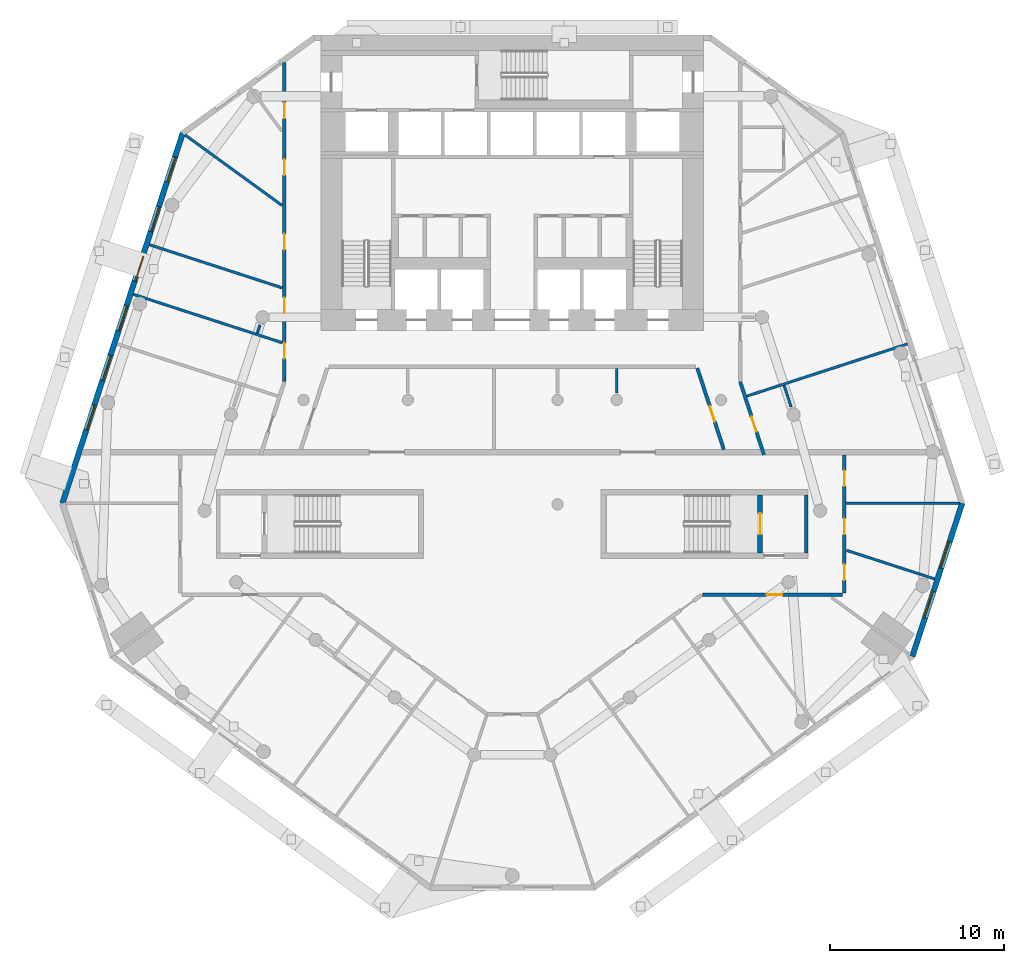
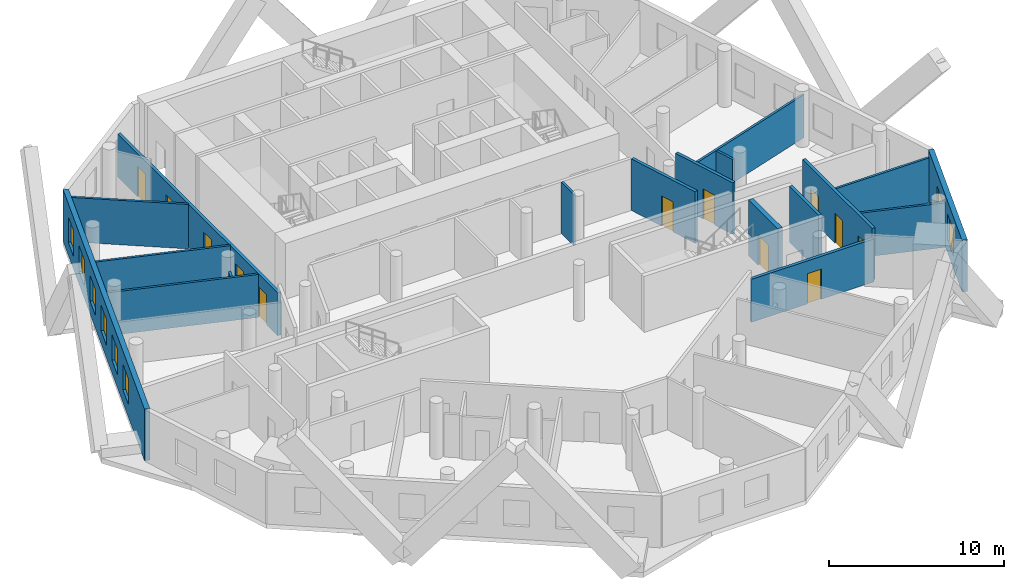
# One storey, part 5 of 10: 18 walls, 12 doors, 8 windows, 20 openings.
"""IFC4 building model written with IfcOpenShell, lengths in metres."""

from ifc_helpers import new_model, si_unit, direction, frame, frame_2d, origin, place, context, subcontext, project, spatial, rectangle, extrude, material, layer, layer_set, type_object, element, fill, save


model = new_model("IFC4")

# Units and contexts
model_context = context("Model", 3, precision=1e-05, world=origin(), true_north=direction((0.0, 1.0)))
body_context = subcontext(model_context, "Body", "Model", "MODEL_VIEW")
ifc_project = project(units=[si_unit("LENGTHUNIT", "METRE"), si_unit("AREAUNIT", "SQUARE_METRE"), si_unit("VOLUMEUNIT", "CUBIC_METRE"), si_unit("PLANEANGLEUNIT", "RADIAN"), si_unit("MASSUNIT", "GRAM", prefix="KILO")], contexts=[model_context])

# Site, building, storey
site_placement = place(None, origin())
site = spatial("IfcSite", under=ifc_project, at=site_placement, CompositionType="ELEMENT")
building_placement = place(site_placement, origin())
building = spatial("IfcBuilding", under=site, at=building_placement, Name="White Candle Pilgrim Tower", CompositionType="ELEMENT")
storey_placement = place(building_placement, frame((0.0, 0.0, 78.0)))
storey = spatial("IfcBuildingStorey", under=building, at=storey_placement, Name="L16", CompositionType="ELEMENT", Elevation=78.0)

# Wall
ifc_material_1 = material(Name="Concrete C70/85", Category="concrete")
ifc_layer_1 = layer(ifc_material_1, 0.199951171875)
ifc_layer_set_1 = layer_set([ifc_layer_1], Name="Core wall 200 mm Concrete C70/85")
wall_type_1 = type_object("IfcWallType", Name="Core wall 200 mm Concrete C70/85", PredefinedType="SHEAR", material=ifc_layer_set_1)
wall_1_placement = place(storey_placement, frame((86.89990234375, 58.199951171875, 0.0), z_axis=(0.0, 0.0, 1.0), x_axis=(0.0, 1.0, 0.0)))
element("IfcWall", 1, at=wall_1_placement, inside=storey, type_object=wall_type_1, Name="WL-L16-C08", PredefinedType="SHEAR", context=body_context, shape_type="SweptSolid", body=[
    extrude(rectangle(XDim=3.35009765625, YDim=0.199951171875, at=frame_2d((1.675048828125, 0.0))), origin(), (0.0, 0.0, 1.0), 3.89990234375),
])

# Wall, openings, doors
ifc_material_2 = material(Name="Gypsum board on steel studs", Category="steel")
ifc_layer_2 = layer(ifc_material_2, 0.199951171875)
ifc_layer_set_2 = layer_set([ifc_layer_2], Name="Corridor wall 200 mm EI 45")
wall_type_2 = type_object("IfcWallType", Name="Corridor wall 200 mm EI 45", PredefinedType="PARTITIONING", material=ifc_layer_set_2)
wall_2_placement = place(storey_placement, frame((56.89990234375, 68.076904296875, 0.0), z_axis=(0.0, 0.0, 1.0), x_axis=(0.0, 1.0, 0.0)))
wall_2 = element("IfcWall", 2, at=wall_2_placement, inside=storey, type_object=wall_type_2, Name="WL-L16-P003", PredefinedType="PARTITIONING", context=body_context, shape_type="SweptSolid", body=[
    extrude(rectangle(XDim=18.3193359375, YDim=0.199951171875, at=frame_2d((9.15966796875, 0.0))), origin(), (0.0, 0.0, 1.0), 3.0),
])
opening_1_placement = place(wall_2_placement, frame((1.306640625, 0.0, 0.0)))
opening_1 = element("IfcOpeningElement", 3, at=opening_1_placement, cuts=wall_2, Name="Opening T05-119", PredefinedType="OPENING", context=body_context, shape_type="SweptSolid", body=[
    extrude(rectangle(XDim=0.89990234375, YDim=2.10009765625, at=frame_2d((0.449951171875, 1.050048828125))), frame((0.0, 0.10986328125, 0.0), z_axis=(0.0, -1.0, 0.0), x_axis=(1.0, 0.0, 0.0)), (0.0, 0.0, 1.0), 0.219970703125),
])
opening_2_placement = place(wall_2_placement, frame((3.906005859375, 0.0, 0.0)))
opening_2 = element("IfcOpeningElement", 4, at=opening_2_placement, cuts=wall_2, Name="Opening T05-120", PredefinedType="OPENING", context=body_context, shape_type="SweptSolid", body=[
    extrude(rectangle(XDim=0.89990234375, YDim=2.10009765625, at=frame_2d((0.449951171875, 1.050048828125))), frame((0.0, 0.10986328125, 0.0), z_axis=(0.0, -1.0, 0.0), x_axis=(1.0, 0.0, 0.0)), (0.0, 0.0, 1.0), 0.219970703125),
])
opening_3_placement = place(wall_2_placement, frame((7.569091796875, 0.0, 0.0)))
opening_3 = element("IfcOpeningElement", 5, at=opening_3_placement, cuts=wall_2, Name="Opening T05-121", PredefinedType="OPENING", context=body_context, shape_type="SweptSolid", body=[
    extrude(rectangle(XDim=0.89990234375, YDim=2.10009765625, at=frame_2d((0.449951171875, 1.050048828125))), frame((0.0, 0.10986328125, 0.0), z_axis=(0.0, -1.0, 0.0), x_axis=(1.0, 0.0, 0.0)), (0.0, 0.0, 1.0), 0.219970703125),
])
opening_4_placement = place(wall_2_placement, frame((11.853515625, 0.0, 0.0)))
opening_4 = element("IfcOpeningElement", 6, at=opening_4_placement, cuts=wall_2, Name="Opening T05-122", PredefinedType="OPENING", context=body_context, shape_type="SweptSolid", body=[
    extrude(rectangle(XDim=0.89990234375, YDim=2.10009765625, at=frame_2d((0.449951171875, 1.050048828125))), frame((0.0, 0.10986328125, 0.0), z_axis=(0.0, -1.0, 0.0), x_axis=(1.0, 0.0, 0.0)), (0.0, 0.0, 1.0), 0.219970703125),
])
opening_5_placement = place(wall_2_placement, frame((15.12158203125, 0.0, 0.0)))
opening_5 = element("IfcOpeningElement", 7, at=opening_5_placement, cuts=wall_2, Name="Opening T05-123", PredefinedType="OPENING", context=body_context, shape_type="SweptSolid", body=[
    extrude(rectangle(XDim=0.89990234375, YDim=2.10009765625, at=frame_2d((0.449951171875, 1.050048828125))), frame((0.0, 0.10986328125, 0.0), z_axis=(0.0, -1.0, 0.0), x_axis=(1.0, 0.0, 0.0)), (0.0, 0.0, 1.0), 0.219970703125),
])
ifc_material_3 = material(Name="Steel door leaf", Category="steel")
door_type_1 = type_object("IfcDoorType", Name="Fire door 900 x 2100 EI 30", OperationType="NOTDEFINED", PredefinedType="DOOR", material=ifc_material_3)
door_1_placement = place(opening_1_placement, origin())
door_1 = element("IfcDoor", 8, at=door_1_placement, inside=storey, type_object=door_type_1, Name="Door T05-119", OperationType="SINGLE_SWING_LEFT", OverallHeight=2.10009765625, OverallWidth=0.89990234375, PredefinedType="DOOR", context=body_context, shape_type="SweptSolid", body=[
    extrude(rectangle(XDim=0.89990234375, YDim=2.10009765625, at=frame_2d((0.449951171875, 1.050048828125))), frame((0.0, 0.02490234375, 0.0), z_axis=(0.0, -1.0, 0.0), x_axis=(1.0, 0.0, 0.0)), (0.0, 0.0, 1.0), 0.050048828125),
])
fill(opening_1, door_1)
door_2_placement = place(opening_2_placement, origin())
door_2 = element("IfcDoor", 9, at=door_2_placement, inside=storey, type_object=door_type_1, Name="Door T05-120", OperationType="SINGLE_SWING_RIGHT", OverallHeight=2.10009765625, OverallWidth=0.89990234375, PredefinedType="DOOR", context=body_context, shape_type="SweptSolid", body=[
    extrude(rectangle(XDim=0.89990234375, YDim=2.10009765625, at=frame_2d((0.449951171875, 1.050048828125))), frame((0.0, 0.02490234375, 0.0), z_axis=(0.0, -1.0, 0.0), x_axis=(1.0, 0.0, 0.0)), (0.0, 0.0, 1.0), 0.050048828125),
])
fill(opening_2, door_2)
door_3_placement = place(opening_3_placement, origin())
door_3 = element("IfcDoor", 10, at=door_3_placement, inside=storey, type_object=door_type_1, Name="Door T05-121", OperationType="SINGLE_SWING_LEFT", OverallHeight=2.10009765625, OverallWidth=0.89990234375, PredefinedType="DOOR", context=body_context, shape_type="SweptSolid", body=[
    extrude(rectangle(XDim=0.89990234375, YDim=2.10009765625, at=frame_2d((0.449951171875, 1.050048828125))), frame((0.0, 0.02490234375, 0.0), z_axis=(0.0, -1.0, 0.0), x_axis=(1.0, 0.0, 0.0)), (0.0, 0.0, 1.0), 0.050048828125),
])
fill(opening_3, door_3)
door_4_placement = place(opening_4_placement, origin())
door_4 = element("IfcDoor", 11, at=door_4_placement, inside=storey, type_object=door_type_1, Name="Door T05-122", OperationType="SINGLE_SWING_RIGHT", OverallHeight=2.10009765625, OverallWidth=0.89990234375, PredefinedType="DOOR", context=body_context, shape_type="SweptSolid", body=[
    extrude(rectangle(XDim=0.89990234375, YDim=2.10009765625, at=frame_2d((0.449951171875, 1.050048828125))), frame((0.0, 0.02490234375, 0.0), z_axis=(0.0, -1.0, 0.0), x_axis=(1.0, 0.0, 0.0)), (0.0, 0.0, 1.0), 0.050048828125),
])
fill(opening_4, door_4)
door_5_placement = place(opening_5_placement, origin())
door_5 = element("IfcDoor", 12, at=door_5_placement, inside=storey, type_object=door_type_1, Name="Door T05-123", OperationType="SINGLE_SWING_LEFT", OverallHeight=2.10009765625, OverallWidth=0.89990234375, PredefinedType="DOOR", context=body_context, shape_type="SweptSolid", body=[
    extrude(rectangle(XDim=0.89990234375, YDim=2.10009765625, at=frame_2d((0.449951171875, 1.050048828125))), frame((0.0, 0.02490234375, 0.0), z_axis=(0.0, -1.0, 0.0), x_axis=(1.0, 0.0, 0.0)), (0.0, 0.0, 1.0), 0.050048828125),
])
fill(opening_5, door_5)

# Wall, opening, door
wall_3_placement = place(storey_placement, frame((83.10498046875, 68.0458984375, 0.0), z_axis=(0.0, 0.0, 1.0), x_axis=(0.309013495578, -0.951057653116, 0.0)))
wall_3 = element("IfcWall", 13, at=wall_3_placement, inside=storey, type_object=wall_type_2, Name="WL-L16-P005", PredefinedType="PARTITIONING", context=body_context, shape_type="SweptSolid", body=[
    extrude(rectangle(XDim=4.41162109375, YDim=0.199951171875, at=frame_2d((2.205810546875, 0.0))), origin(), (0.0, 0.0, 1.0), 3.60009765625),
])
opening_6_placement = place(wall_3_placement, frame((2.115966796875, 0.0, 0.0)))
opening_6 = element("IfcOpeningElement", 14, at=opening_6_placement, cuts=wall_3, Name="Opening T05-128", PredefinedType="OPENING", context=body_context, shape_type="SweptSolid", body=[
    extrude(rectangle(XDim=0.89990234375, YDim=2.10009765625, at=frame_2d((0.449951171875, 1.050048828125))), frame((0.0, 0.10986328125, 0.0), z_axis=(0.0, -1.0, 0.0), x_axis=(1.0, 0.0, 0.0)), (0.0, 0.0, 1.0), 0.219970703125),
])
door_6_placement = place(opening_6_placement, origin())
door_6 = element("IfcDoor", 15, at=door_6_placement, inside=storey, type_object=door_type_1, Name="Door T05-128", OperationType="SINGLE_SWING_RIGHT", OverallHeight=2.10009765625, OverallWidth=0.89990234375, PredefinedType="DOOR", context=body_context, shape_type="SweptSolid", body=[
    extrude(rectangle(XDim=0.89990234375, YDim=2.10009765625, at=frame_2d((0.449951171875, 1.050048828125))), frame((0.0, 0.02490234375, 0.0), z_axis=(0.0, -1.0, 0.0), x_axis=(1.0, 0.0, 0.0)), (0.0, 0.0, 1.0), 0.050048828125),
])
fill(opening_6, door_6)

# Wall, openings, doors
wall_4_placement = place(storey_placement, frame((89.10009765625, 63.85009765625, 0.0), z_axis=(0.0, 0.0, 1.0), x_axis=(0.0, -1.0, 0.0)))
wall_4 = element("IfcWall", 16, at=wall_4_placement, inside=storey, type_object=wall_type_2, Name="WL-L16-P006", PredefinedType="PARTITIONING", context=body_context, shape_type="SweptSolid", body=[
    extrude(rectangle(XDim=7.9501953125, YDim=0.199951171875, at=frame_2d((3.97509765625, 0.0))), origin(), (0.0, 0.0, 1.0), 3.60009765625),
])
opening_7_placement = place(wall_4_placement, frame((6.302001953125, 0.0, 0.0)))
opening_7 = element("IfcOpeningElement", 17, at=opening_7_placement, cuts=wall_4, Name="Opening T05-112", PredefinedType="OPENING", context=body_context, shape_type="SweptSolid", body=[
    extrude(rectangle(XDim=0.89990234375, YDim=2.10009765625, at=frame_2d((0.449951171875, 1.050048828125))), frame((0.0, 0.10986328125, 0.0), z_axis=(0.0, -1.0, 0.0), x_axis=(1.0, 0.0, 0.0)), (0.0, 0.0, 1.0), 0.219970703125),
])
opening_8_placement = place(wall_4_placement, frame((3.672119140625, 0.0, 0.0)))
opening_8 = element("IfcOpeningElement", 18, at=opening_8_placement, cuts=wall_4, Name="Opening T05-113", PredefinedType="OPENING", context=body_context, shape_type="SweptSolid", body=[
    extrude(rectangle(XDim=0.89990234375, YDim=2.10009765625, at=frame_2d((0.449951171875, 1.050048828125))), frame((0.0, 0.10986328125, 0.0), z_axis=(0.0, -1.0, 0.0), x_axis=(1.0, 0.0, 0.0)), (0.0, 0.0, 1.0), 0.219970703125),
])
opening_9_placement = place(wall_4_placement, frame((0.90771484375, 0.0, 0.0)))
opening_9 = element("IfcOpeningElement", 19, at=opening_9_placement, cuts=wall_4, Name="Opening T05-129", PredefinedType="OPENING", context=body_context, shape_type="SweptSolid", body=[
    extrude(rectangle(XDim=0.89990234375, YDim=2.10009765625, at=frame_2d((0.449951171875, 1.050048828125))), frame((0.0, 0.10986328125, 0.0), z_axis=(0.0, -1.0, 0.0), x_axis=(1.0, 0.0, 0.0)), (0.0, 0.0, 1.0), 0.219970703125),
])
door_7_placement = place(opening_7_placement, origin())
door_7 = element("IfcDoor", 20, at=door_7_placement, inside=storey, type_object=door_type_1, Name="Door T05-112", OperationType="SINGLE_SWING_RIGHT", OverallHeight=2.10009765625, OverallWidth=0.89990234375, PredefinedType="DOOR", context=body_context, shape_type="SweptSolid", body=[
    extrude(rectangle(XDim=0.89990234375, YDim=2.10009765625, at=frame_2d((0.449951171875, 1.050048828125))), frame((0.0, 0.02490234375, 0.0), z_axis=(0.0, -1.0, 0.0), x_axis=(1.0, 0.0, 0.0)), (0.0, 0.0, 1.0), 0.050048828125),
])
fill(opening_7, door_7)
door_8_placement = place(opening_8_placement, origin())
door_8 = element("IfcDoor", 21, at=door_8_placement, inside=storey, type_object=door_type_1, Name="Door T05-113", OperationType="SINGLE_SWING_LEFT", OverallHeight=2.10009765625, OverallWidth=0.89990234375, PredefinedType="DOOR", context=body_context, shape_type="SweptSolid", body=[
    extrude(rectangle(XDim=0.89990234375, YDim=2.10009765625, at=frame_2d((0.449951171875, 1.050048828125))), frame((0.0, 0.02490234375, 0.0), z_axis=(0.0, -1.0, 0.0), x_axis=(1.0, 0.0, 0.0)), (0.0, 0.0, 1.0), 0.050048828125),
])
fill(opening_8, door_8)
door_9_placement = place(opening_9_placement, origin())
door_9 = element("IfcDoor", 22, at=door_9_placement, inside=storey, type_object=door_type_1, Name="Door T05-129", OperationType="SINGLE_SWING_LEFT", OverallHeight=2.10009765625, OverallWidth=0.89990234375, PredefinedType="DOOR", context=body_context, shape_type="SweptSolid", body=[
    extrude(rectangle(XDim=0.89990234375, YDim=2.10009765625, at=frame_2d((0.449951171875, 1.050048828125))), frame((0.0, 0.02490234375, 0.0), z_axis=(0.0, -1.0, 0.0), x_axis=(1.0, 0.0, 0.0)), (0.0, 0.0, 1.0), 0.050048828125),
])
fill(opening_9, door_9)

# Wall, opening, door
wall_5_placement = place(storey_placement, frame((89.0, 55.800048828125, 0.0), z_axis=(0.0, 0.0, 1.0), x_axis=(-1.0, 0.0, 0.0)))
wall_5 = element("IfcWall", 23, at=wall_5_placement, inside=storey, type_object=wall_type_2, Name="WL-L16-P007", PredefinedType="PARTITIONING", context=body_context, shape_type="SweptSolid", body=[
    extrude(rectangle(XDim=8.067138671875, YDim=0.199951171875, at=frame_2d((4.03369140625, 0.0))), origin(), (0.0, 0.0, 1.0), 3.0),
])
opening_10_placement = place(wall_5_placement, frame((3.4736328125, 0.0, 0.0)))
opening_10 = element("IfcOpeningElement", 24, at=opening_10_placement, cuts=wall_5, Name="Opening T05-111", PredefinedType="OPENING", context=body_context, shape_type="SweptSolid", body=[
    extrude(rectangle(XDim=0.89990234375, YDim=2.10009765625, at=frame_2d((0.449951171875, 1.050048828125))), frame((0.0, 0.10986328125, 0.0), z_axis=(0.0, -1.0, 0.0), x_axis=(1.0, 0.0, 0.0)), (0.0, 0.0, 1.0), 0.219970703125),
])
door_10_placement = place(opening_10_placement, origin())
door_10 = element("IfcDoor", 25, at=door_10_placement, inside=storey, type_object=door_type_1, Name="Door T05-111", OperationType="SINGLE_SWING_LEFT", OverallHeight=2.10009765625, OverallWidth=0.89990234375, PredefinedType="DOOR", context=body_context, shape_type="SweptSolid", body=[
    extrude(rectangle(XDim=0.89990234375, YDim=2.10009765625, at=frame_2d((0.449951171875, 1.050048828125))), frame((0.0, 0.02490234375, 0.0), z_axis=(0.0, -1.0, 0.0), x_axis=(1.0, 0.0, 0.0)), (0.0, 0.0, 1.0), 0.050048828125),
])
fill(opening_10, door_10)

wall_6_placement = place(storey_placement, frame((82.16259765625, 64.14990234375, 0.0), z_axis=(0.0, 0.0, 1.0), x_axis=(-0.308986244793, 0.95106650689, 0.0)))
wall_6 = element("IfcWall", 26, at=wall_6_placement, inside=storey, type_object=wall_type_2, Name="WL-L16-P015", PredefinedType="PARTITIONING", context=body_context, shape_type="SweptSolid", body=[
    extrude(rectangle(XDim=4.921630859375, YDim=0.199951171875, at=frame_2d((2.4609375, 0.0))), origin(), (0.0, 0.0, 1.0), 3.60009765625),
])
opening_11_placement = place(wall_6_placement, frame((1.69775390625, 0.0, 0.0)))
opening_11 = element("IfcOpeningElement", 27, at=opening_11_placement, cuts=wall_6, Name="Opening T05-130", PredefinedType="OPENING", context=body_context, shape_type="SweptSolid", body=[
    extrude(rectangle(XDim=0.89990234375, YDim=2.10009765625, at=frame_2d((0.449951171875, 1.050048828125))), frame((0.0, 0.10986328125, 0.0), z_axis=(0.0, -1.0, 0.0), x_axis=(1.0, 0.0, 0.0)), (0.0, 0.0, 1.0), 0.219970703125),
])
door_11_placement = place(opening_11_placement, origin())
door_11 = element("IfcDoor", 28, at=door_11_placement, inside=storey, type_object=door_type_1, Name="Door T05-130", OperationType="SINGLE_SWING_RIGHT", OverallHeight=2.10009765625, OverallWidth=0.89990234375, PredefinedType="DOOR", context=body_context, shape_type="SweptSolid", body=[
    extrude(rectangle(XDim=0.89990234375, YDim=2.10009765625, at=frame_2d((0.449951171875, 1.050048828125))), frame((0.0, 0.02490234375, 0.0), z_axis=(0.0, -1.0, 0.0), x_axis=(1.0, 0.0, 0.0)), (0.0, 0.0, 1.0), 0.050048828125),
])
fill(opening_11, door_11)

# Wall, openings, windows
ifc_material_4 = material(Name="Precast concrete C40/50", Category="concrete")
ifc_layer_3 = layer(ifc_material_4, 0.320068359375)
ifc_layer_set_3 = layer_set([ifc_layer_3], Name="Facade wall EW1 precast concrete C40/50 pier wall with timber-lined reveals")
wall_type_3 = type_object("IfcWallType", Name="Facade wall EW1 precast concrete C40/50 pier wall with timber-lined reveals", PredefinedType="SOLIDWALL", material=ifc_layer_set_3)
wall_7_placement = place(storey_placement, frame((93.010009765625, 52.26220703125, 0.0), z_axis=(0.0, 0.0, 1.0), x_axis=(0.309005505668, 0.951060249125, 0.0)))
wall_7 = element("IfcWall", 29, at=wall_7_placement, inside=storey, type_object=wall_type_3, Name="Facade wall L16 E chamfer", PredefinedType="SOLIDWALL", context=body_context, shape_type="SweptSolid", body=[
    extrude(rectangle(XDim=9.250244140625, YDim=0.320068359375, at=frame_2d((4.625, 0.0))), origin(), (0.0, 0.0, 1.0), 3.60009765625),
])
opening_12_placement = place(wall_7_placement, frame((2.3251953125, 0.0, 0.89990234375)))
opening_12 = element("IfcOpeningElement", 30, at=opening_12_placement, cuts=wall_7, Name="Opening W2", PredefinedType="OPENING", context=body_context, shape_type="SweptSolid", body=[
    extrude(rectangle(XDim=1.60009765625, YDim=1.800048828125, at=frame_2d((0.800048828125, 0.89990234375))), frame((0.0, 0.169921875, 0.0), z_axis=(0.0, -1.0, 0.0), x_axis=(1.0, 0.0, 0.0)), (0.0, 0.0, 1.0), 0.340087890625),
])
opening_13_placement = place(wall_7_placement, frame((5.3251953125, 0.0, 0.89990234375)))
opening_13 = element("IfcOpeningElement", 31, at=opening_13_placement, cuts=wall_7, Name="Opening W2", PredefinedType="OPENING", context=body_context, shape_type="SweptSolid", body=[
    extrude(rectangle(XDim=1.60009765625, YDim=1.800048828125, at=frame_2d((0.800048828125, 0.89990234375))), frame((0.0, 0.169921875, 0.0), z_axis=(0.0, -1.0, 0.0), x_axis=(1.0, 0.0, 0.0)), (0.0, 0.0, 1.0), 0.340087890625),
])
ifc_material_5 = material(Name="Timber frame with triple glazing", Category="wood")
window_type_1 = type_object("IfcWindowType", Name="Window W2 1600x1800 timber frame triple glazing", PartitioningType="SINGLE_PANEL", PredefinedType="WINDOW", material=ifc_material_5)
window_1_placement = place(opening_12_placement, origin())
window_1 = element("IfcWindow", 32, at=window_1_placement, inside=storey, type_object=window_type_1, Name="Window W2 L16 E chamfer 1", OverallHeight=1.800048828125, OverallWidth=1.60009765625, PartitioningType="SINGLE_PANEL", PredefinedType="WINDOW", context=body_context, shape_type="SweptSolid", body=[
    extrude(rectangle(XDim=1.60009765625, YDim=1.800048828125, at=frame_2d((0.800048828125, 0.89990234375))), frame((0.0, 0.070068359375, 0.0), z_axis=(0.0, -1.0, 0.0), x_axis=(1.0, 0.0, 0.0)), (0.0, 0.0, 1.0), 0.06005859375),
])
fill(opening_12, window_1)
window_2_placement = place(opening_13_placement, origin())
window_2 = element("IfcWindow", 33, at=window_2_placement, inside=storey, type_object=window_type_1, Name="Window W2 L16 E chamfer 2", OverallHeight=1.800048828125, OverallWidth=1.60009765625, PartitioningType="SINGLE_PANEL", PredefinedType="WINDOW", context=body_context, shape_type="SweptSolid", body=[
    extrude(rectangle(XDim=1.60009765625, YDim=1.800048828125, at=frame_2d((0.800048828125, 0.89990234375))), frame((0.0, 0.070068359375, 0.0), z_axis=(0.0, -1.0, 0.0), x_axis=(1.0, 0.0, 0.0)), (0.0, 0.0, 1.0), 0.06005859375),
])
fill(opening_13, window_2)

wall_8_placement = place(storey_placement, frame((51.04638671875, 82.341064453125, 0.0), z_axis=(0.0, 0.0, 1.0), x_axis=(-0.309020941063, -0.951055233929, 0.0)))
wall_8 = element("IfcWall", 34, at=wall_8_placement, inside=storey, type_object=wall_type_3, Name="Facade wall L16 WNW", PredefinedType="SOLIDWALL", context=body_context, shape_type="SweptSolid", body=[
    extrude(rectangle(XDim=22.37646484375, YDim=0.320068359375, at=frame_2d((11.188232421875, 0.0))), origin(), (0.0, 0.0, 1.0), 3.60009765625),
])
opening_14_placement = place(wall_8_placement, frame((1.438232421875, 0.0, 0.89990234375)))
opening_14 = element("IfcOpeningElement", 35, at=opening_14_placement, cuts=wall_8, Name="Opening W1", PredefinedType="OPENING", context=body_context, shape_type="SweptSolid", body=[
    extrude(rectangle(XDim=1.5, YDim=1.800048828125, at=frame_2d((0.75, 0.89990234375))), frame((0.0, 0.169921875, 0.0), z_axis=(0.0, -1.0, 0.0), x_axis=(1.0, 0.0, 0.0)), (0.0, 0.0, 1.0), 0.340087890625),
])
opening_15_placement = place(wall_8_placement, frame((4.438232421875, 0.0, 0.89990234375)))
opening_15 = element("IfcOpeningElement", 36, at=opening_15_placement, cuts=wall_8, Name="Opening W1", PredefinedType="OPENING", context=body_context, shape_type="SweptSolid", body=[
    extrude(rectangle(XDim=1.5, YDim=1.800048828125, at=frame_2d((0.75, 0.89990234375))), frame((0.0, 0.169921875, 0.0), z_axis=(0.0, -1.0, 0.0), x_axis=(1.0, 0.0, 0.0)), (0.0, 0.0, 1.0), 0.340087890625),
])
opening_16_placement = place(wall_8_placement, frame((7.438232421875, 0.0, 0.89990234375)))
opening_16 = element("IfcOpeningElement", 37, at=opening_16_placement, cuts=wall_8, Name="Opening W1", PredefinedType="OPENING", context=body_context, shape_type="SweptSolid", body=[
    extrude(rectangle(XDim=1.5, YDim=1.800048828125, at=frame_2d((0.75, 0.89990234375))), frame((0.0, 0.169921875, 0.0), z_axis=(0.0, -1.0, 0.0), x_axis=(1.0, 0.0, 0.0)), (0.0, 0.0, 1.0), 0.340087890625),
])
opening_17_placement = place(wall_8_placement, frame((10.438232421875, 0.0, 0.89990234375)))
opening_17 = element("IfcOpeningElement", 38, at=opening_17_placement, cuts=wall_8, Name="Opening W1", PredefinedType="OPENING", context=body_context, shape_type="SweptSolid", body=[
    extrude(rectangle(XDim=1.5, YDim=1.800048828125, at=frame_2d((0.75, 0.89990234375))), frame((0.0, 0.169921875, 0.0), z_axis=(0.0, -1.0, 0.0), x_axis=(1.0, 0.0, 0.0)), (0.0, 0.0, 1.0), 0.340087890625),
])
opening_18_placement = place(wall_8_placement, frame((13.438232421875, 0.0, 0.89990234375)))
opening_18 = element("IfcOpeningElement", 39, at=opening_18_placement, cuts=wall_8, Name="Opening W1", PredefinedType="OPENING", context=body_context, shape_type="SweptSolid", body=[
    extrude(rectangle(XDim=1.5, YDim=1.800048828125, at=frame_2d((0.75, 0.89990234375))), frame((0.0, 0.169921875, 0.0), z_axis=(0.0, -1.0, 0.0), x_axis=(1.0, 0.0, 0.0)), (0.0, 0.0, 1.0), 0.340087890625),
])
opening_19_placement = place(wall_8_placement, frame((16.438232421875, 0.0, 0.89990234375)))
opening_19 = element("IfcOpeningElement", 40, at=opening_19_placement, cuts=wall_8, Name="Opening W1", PredefinedType="OPENING", context=body_context, shape_type="SweptSolid", body=[
    extrude(rectangle(XDim=1.5, YDim=1.800048828125, at=frame_2d((0.75, 0.89990234375))), frame((0.0, 0.169921875, 0.0), z_axis=(0.0, -1.0, 0.0), x_axis=(1.0, 0.0, 0.0)), (0.0, 0.0, 1.0), 0.340087890625),
])
window_type_2 = type_object("IfcWindowType", Name="Window W1 1500x1800 timber frame triple glazing", PartitioningType="SINGLE_PANEL", PredefinedType="WINDOW", material=ifc_material_5)
window_3_placement = place(opening_14_placement, origin())
window_3 = element("IfcWindow", 41, at=window_3_placement, inside=storey, type_object=window_type_2, Name="Window W1 L16 WNW 1", OverallHeight=1.800048828125, OverallWidth=1.5, PartitioningType="SINGLE_PANEL", PredefinedType="WINDOW", context=body_context, shape_type="SweptSolid", body=[
    extrude(rectangle(XDim=1.5, YDim=1.800048828125, at=frame_2d((0.75, 0.89990234375))), frame((0.0, 0.070068359375, 0.0), z_axis=(0.0, -1.0, 0.0), x_axis=(1.0, 0.0, 0.0)), (0.0, 0.0, 1.0), 0.06005859375),
])
fill(opening_14, window_3)
window_4_placement = place(opening_15_placement, origin())
window_4 = element("IfcWindow", 42, at=window_4_placement, inside=storey, type_object=window_type_2, Name="Window W1 L16 WNW 2", OverallHeight=1.800048828125, OverallWidth=1.5, PartitioningType="SINGLE_PANEL", PredefinedType="WINDOW", context=body_context, shape_type="SweptSolid", body=[
    extrude(rectangle(XDim=1.5, YDim=1.800048828125, at=frame_2d((0.75, 0.89990234375))), frame((0.0, 0.070068359375, 0.0), z_axis=(0.0, -1.0, 0.0), x_axis=(1.0, 0.0, 0.0)), (0.0, 0.0, 1.0), 0.06005859375),
])
fill(opening_15, window_4)
window_5_placement = place(opening_16_placement, origin())
window_5 = element("IfcWindow", 43, at=window_5_placement, inside=storey, type_object=window_type_2, Name="Window W1 L16 WNW 3", OverallHeight=1.800048828125, OverallWidth=1.5, PartitioningType="SINGLE_PANEL", PredefinedType="WINDOW", context=body_context, shape_type="SweptSolid", body=[
    extrude(rectangle(XDim=1.5, YDim=1.800048828125, at=frame_2d((0.75, 0.89990234375))), frame((0.0, 0.070068359375, 0.0), z_axis=(0.0, -1.0, 0.0), x_axis=(1.0, 0.0, 0.0)), (0.0, 0.0, 1.0), 0.06005859375),
])
fill(opening_16, window_5)
window_6_placement = place(opening_17_placement, origin())
window_6 = element("IfcWindow", 44, at=window_6_placement, inside=storey, type_object=window_type_2, Name="Window W1 L16 WNW 4", OverallHeight=1.800048828125, OverallWidth=1.5, PartitioningType="SINGLE_PANEL", PredefinedType="WINDOW", context=body_context, shape_type="SweptSolid", body=[
    extrude(rectangle(XDim=1.5, YDim=1.800048828125, at=frame_2d((0.75, 0.89990234375))), frame((0.0, 0.070068359375, 0.0), z_axis=(0.0, -1.0, 0.0), x_axis=(1.0, 0.0, 0.0)), (0.0, 0.0, 1.0), 0.06005859375),
])
fill(opening_17, window_6)
window_7_placement = place(opening_18_placement, origin())
window_7 = element("IfcWindow", 45, at=window_7_placement, inside=storey, type_object=window_type_2, Name="Window W1 L16 WNW 5", OverallHeight=1.800048828125, OverallWidth=1.5, PartitioningType="SINGLE_PANEL", PredefinedType="WINDOW", context=body_context, shape_type="SweptSolid", body=[
    extrude(rectangle(XDim=1.5, YDim=1.800048828125, at=frame_2d((0.75, 0.89990234375))), frame((0.0, 0.070068359375, 0.0), z_axis=(0.0, -1.0, 0.0), x_axis=(1.0, 0.0, 0.0)), (0.0, 0.0, 1.0), 0.06005859375),
])
fill(opening_18, window_7)
window_8_placement = place(opening_19_placement, origin())
window_8 = element("IfcWindow", 46, at=window_8_placement, inside=storey, type_object=window_type_2, Name="Window W1 L16 WNW 6", OverallHeight=1.800048828125, OverallWidth=1.5, PartitioningType="SINGLE_PANEL", PredefinedType="WINDOW", context=body_context, shape_type="SweptSolid", body=[
    extrude(rectangle(XDim=1.5, YDim=1.800048828125, at=frame_2d((0.75, 0.89990234375))), frame((0.0, 0.070068359375, 0.0), z_axis=(0.0, -1.0, 0.0), x_axis=(1.0, 0.0, 0.0)), (0.0, 0.0, 1.0), 0.06005859375),
])
fill(opening_19, window_8)

# Walls
ifc_layer_4 = layer(ifc_material_2, 0.14990234375)
ifc_layer_set_4 = layer_set([ifc_layer_4], Name="Partition 150 mm EI 60")
wall_type_4 = type_object("IfcWallType", Name="Partition 150 mm EI 60", PredefinedType="PARTITIONING", material=ifc_layer_set_4)
wall_9_placement = place(storey_placement, frame((51.182373046875, 82.2421875, 0.0), z_axis=(0.0, 0.0, 1.0), x_axis=(0.809004176409, -0.587802894305, 0.0)))
element("IfcWall", 47, at=wall_9_placement, inside=storey, type_object=wall_type_4, Name="WL-L16-P016", PredefinedType="PARTITIONING", context=body_context, shape_type="SweptSolid", body=[
    extrude(rectangle(XDim=6.889404296875, YDim=0.14990234375, at=frame_2d((3.44482421875, 0.0))), origin(), (0.0, 0.0, 1.0), 3.10009765625),
])
wall_10_placement = place(storey_placement, frame((95.7001953125, 61.059814453125, 0.0), z_axis=(0.0, 0.0, 1.0), x_axis=(-1.0, 0.0, 0.0)))
element("IfcWall", 48, at=wall_10_placement, inside=storey, type_object=wall_type_4, Name="WL-L16-P022", PredefinedType="PARTITIONING", context=body_context, shape_type="SweptSolid", body=[
    extrude(rectangle(XDim=6.500244140625, YDim=0.14990234375, at=frame_2d((3.25, 0.0))), origin(), (0.0, 0.0, 1.0), 3.10009765625),
])
wall_11_placement = place(storey_placement, frame((49.131591796875, 75.9306640625, 0.0), z_axis=(0.0, 0.0, 1.0), x_axis=(0.951055269257, -0.309020832339, 0.0)))
element("IfcWall", 49, at=wall_11_placement, inside=storey, type_object=wall_type_4, Name="WL-L16-P025", PredefinedType="PARTITIONING", context=body_context, shape_type="SweptSolid", body=[
    extrude(rectangle(XDim=8.038818359375, YDim=0.14990234375, at=frame_2d((4.01953125, 0.0))), origin(), (0.0, 0.0, 1.0), 3.10009765625),
])
wall_12_placement = place(storey_placement, frame((48.20458984375, 73.077392578125, 0.0), z_axis=(0.0, 0.0, 1.0), x_axis=(0.95106113627, -0.309002775193, 0.0)))
element("IfcWall", 50, at=wall_12_placement, inside=storey, type_object=wall_type_4, Name="WL-L16-P026", PredefinedType="PARTITIONING", context=body_context, shape_type="SweptSolid", body=[
    extrude(rectangle(XDim=9.013427734375, YDim=0.14990234375, at=frame_2d((4.5068359375, 0.0))), origin(), (0.0, 0.0, 1.0), 3.0),
])
wall_13_placement = place(storey_placement, frame((94.287109375, 56.71044921875, 0.0), z_axis=(0.0, 0.0, 1.0), x_axis=(-0.951063042834, 0.308996907032, 0.0)))
element("IfcWall", 51, at=wall_13_placement, inside=storey, type_object=wall_type_4, Name="WL-L16-P036", PredefinedType="PARTITIONING", context=body_context, shape_type="SweptSolid", body=[
    extrude(rectangle(XDim=5.324462890625, YDim=0.14990234375, at=frame_2d((2.662109375, 0.0))), origin(), (0.0, 0.0, 1.0), 3.10009765625),
])
wall_14_placement = place(storey_placement, frame((92.722412109375, 70.224365234375, 0.0), z_axis=(0.0, 0.0, 1.0), x_axis=(-0.951054740035, -0.309022461088, 0.0)))
element("IfcWall", 52, at=wall_14_placement, inside=storey, type_object=wall_type_4, Name="WL-L16-P037", PredefinedType="PARTITIONING", context=body_context, shape_type="SweptSolid", body=[
    extrude(rectangle(XDim=9.719970703125, YDim=0.14990234375, at=frame_2d((4.85986328125, 0.0))), origin(), (0.0, 0.0, 1.0), 3.0),
])
wall_15_placement = place(storey_placement, frame((86.032958984375, 66.60107421875, 0.0), z_axis=(0.0, 0.0, 1.0), x_axis=(-0.308971747858, 0.95107121659, 0.0)))
element("IfcWall", 53, at=wall_15_placement, inside=storey, type_object=wall_type_4, Name="WL-L16-P048", PredefinedType="PARTITIONING", context=body_context, shape_type="SweptSolid", body=[
    extrude(rectangle(XDim=1.3037109375, YDim=0.14990234375, at=frame_2d((0.65185546875, 0.0))), origin(), (0.0, 0.0, 1.0), 3.0),
])
wall_16_placement = place(storey_placement, frame((55.492919921875, 71.31884765625, 0.0), z_axis=(0.0, 0.0, 1.0), x_axis=(-0.309107948435, -0.951026958721, 0.0)))
element("IfcWall", 54, at=wall_16_placement, inside=storey, type_object=wall_type_4, Name="WL-L16-P050", PredefinedType="PARTITIONING", context=body_context, shape_type="SweptSolid", body=[
    extrude(rectangle(XDim=0.504638671875, YDim=0.14990234375, at=frame_2d((0.25244140625, 0.0))), origin(), (0.0, 0.0, 1.0), 3.0),
])
wall_17_placement = place(storey_placement, frame((75.997802734375, 67.4150390625, 0.0), z_axis=(0.0, 0.0, 1.0), x_axis=(0.0, 1.0, 0.0)))
element("IfcWall", 55, at=wall_17_placement, inside=storey, type_object=wall_type_4, Name="WL-L16-P054", PredefinedType="PARTITIONING", context=body_context, shape_type="SweptSolid", body=[
    extrude(rectangle(XDim=1.385009765625, YDim=0.14990234375, at=frame_2d((0.6923828125, 0.0))), origin(), (0.0, 0.0, 1.0), 3.60009765625),
])

# Wall, opening, door
ifc_layer_5 = layer(ifc_material_1, 0.300048828125)
ifc_layer_set_5 = layer_set([ifc_layer_5], Name="Stair shaft wall 300 mm Concrete C70/85")
wall_type_5 = type_object("IfcWallType", Name="Stair shaft wall 300 mm Concrete C70/85", PredefinedType="SHEAR", material=ifc_layer_set_5)
wall_18_placement = place(storey_placement, frame((84.25, 58.199951171875, 0.0), z_axis=(0.0, 0.0, 1.0), x_axis=(0.0, 1.0, 0.0)))
wall_18 = element("IfcWall", 56, at=wall_18_placement, inside=storey, type_object=wall_type_5, Name="WL-L16-C07", PredefinedType="SHEAR", context=body_context, shape_type="SweptSolid", body=[
    extrude(rectangle(XDim=3.35009765625, YDim=0.300048828125, at=frame_2d((1.675048828125, 0.0))), origin(), (0.0, 0.0, 1.0), 3.89990234375),
])
opening_20_placement = place(wall_18_placement, frame((1.074951171875, 0.0, 0.0)))
opening_20 = element("IfcOpeningElement", 57, at=opening_20_placement, cuts=wall_18, Name="Opening T05-010", PredefinedType="OPENING", context=body_context, shape_type="SweptSolid", body=[
    extrude(rectangle(XDim=1.199951171875, YDim=2.10009765625, at=frame_2d((0.60009765625, 1.050048828125))), frame((0.0, 0.159912109375, 0.0), z_axis=(0.0, -1.0, 0.0), x_axis=(1.0, 0.0, 0.0)), (0.0, 0.0, 1.0), 0.320068359375),
])
door_type_2 = type_object("IfcDoorType", Name="Fire door 1200 x 2100 EI 60", OperationType="NOTDEFINED", PredefinedType="DOOR", material=ifc_material_3)
door_12_placement = place(opening_20_placement, origin())
door_12 = element("IfcDoor", 58, at=door_12_placement, inside=storey, type_object=door_type_2, Name="Door T05-010", OperationType="SINGLE_SWING_RIGHT", OverallHeight=2.10009765625, OverallWidth=1.199951171875, PredefinedType="DOOR", context=body_context, shape_type="SweptSolid", body=[
    extrude(rectangle(XDim=1.199951171875, YDim=2.10009765625, at=frame_2d((0.60009765625, 1.050048828125))), frame((0.0, 0.02490234375, 0.0), z_axis=(0.0, -1.0, 0.0), x_axis=(1.0, 0.0, 0.0)), (0.0, 0.0, 1.0), 0.050048828125),
])
fill(opening_20, door_12)

save(model, "model.ifc")
